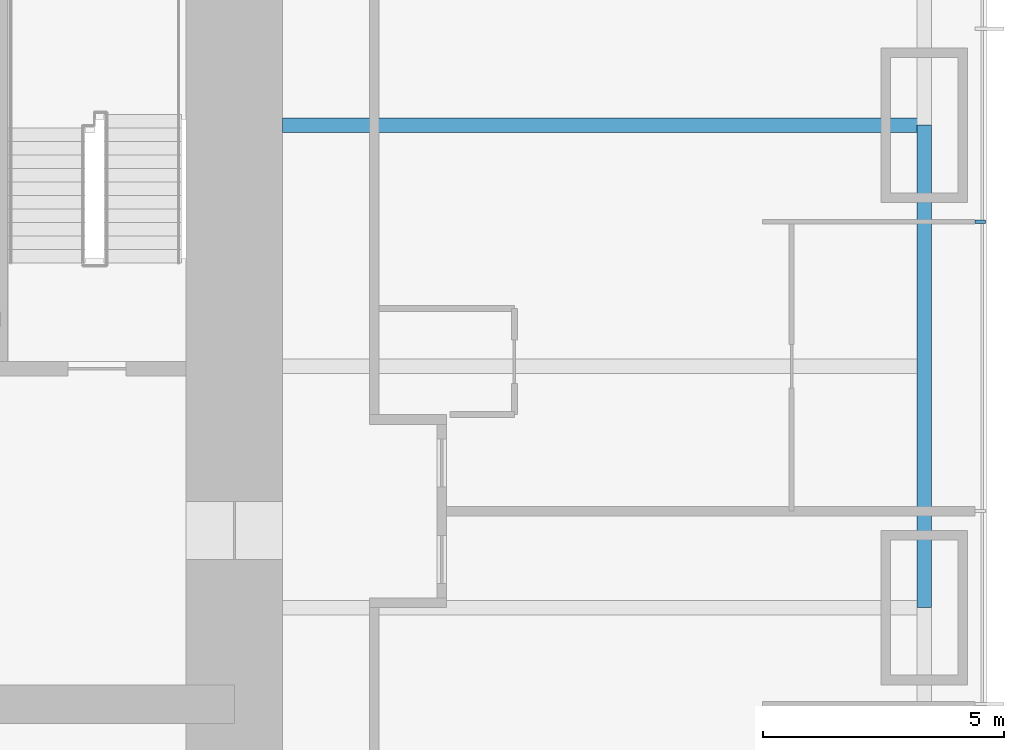
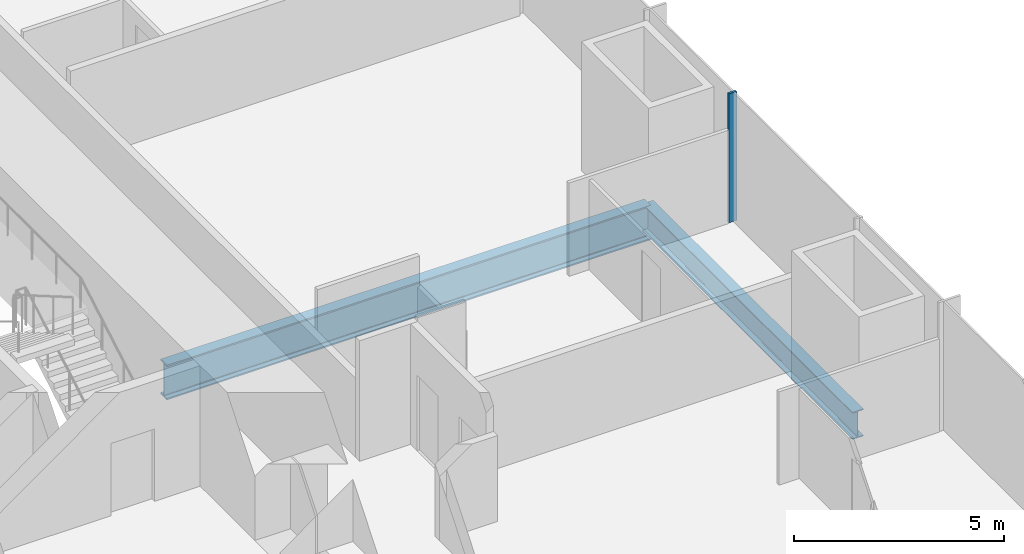
# One storey, part 5 of 17: 2 beams, 1 member, 1 element without a shape of its own.
"""IFC4 building model written with IfcOpenShell, lengths in metres."""

from ifc_helpers import new_model, si_unit, direction, frame, origin, origin_2d, place, context, subcontext, project, spatial, rectangle, i_section, extrude, material, material_profile, profile_set, type_object, element, aggregate, save


model = new_model("IFC4")

# Units and contexts
model_context = context("Model", 3, precision=1e-05, world=origin(), true_north=direction((0.0, 1.0)))
body_context = subcontext(model_context, "Body", "Model", "MODEL_VIEW")
ifc_project = project(units=[si_unit("LENGTHUNIT", "METRE"), si_unit("AREAUNIT", "SQUARE_METRE"), si_unit("VOLUMEUNIT", "CUBIC_METRE"), si_unit("PLANEANGLEUNIT", "RADIAN"), si_unit("MASSUNIT", "GRAM", prefix="KILO")], contexts=[model_context])

# Site, building, storey
site_placement = place(None, origin())
site = spatial("IfcSite", under=ifc_project, at=site_placement, CompositionType="ELEMENT")
building_placement = place(site_placement, origin())
building = spatial("IfcBuilding", under=site, at=building_placement, Name="Khuree Lantern Residences", CompositionType="ELEMENT")
storey_placement = place(building_placement, frame((0.0, 0.0, 84.75)))
storey = spatial("IfcBuildingStorey", under=building, at=storey_placement, Name="L21", CompositionType="ELEMENT", Elevation=84.75)

# Beams
ifc_material_1 = material(Name="Steel S355", Category="steel")
ifc_material_profile_1 = material_profile(ifc_material_1, i_section(OverallWidth=0.300048828125, OverallDepth=0.7900390625, WebThickness=0.014892578125, FlangeThickness=0.028076171875, FilletRadius=0.030029296875, at=origin_2d()), Name="HE 800 A")
ifc_profile_set_1 = profile_set([ifc_material_profile_1], Name="Steel S355")
beam_type_1 = type_object("IfcBeamType", Name="E-15 SPANDREL BEAM HE 800 A", PredefinedType="SPANDREL", material=ifc_profile_set_1)
beam_1_placement = place(storey_placement, frame((29.800048828125, 0.0, -0.64501953125), z_axis=(0.0, -1.0, 0.0), x_axis=(1.0, 0.0, 0.0)))
element("IfcBeam", 1, at=beam_1_placement, inside=storey, type_object=beam_type_1, Name="Spandrel beam E4", PredefinedType="SPANDREL", context=body_context, shape_type="SweptSolid", body=[
    extrude(i_section(OverallWidth=0.300048828125, OverallDepth=0.7900390625, WebThickness=0.014892578125, FlangeThickness=0.028076171875, FilletRadius=0.030029296875, at=origin_2d()), origin(), (0.0, 0.0, 1.0), 10.0),
])
ifc_material_profile_2 = material_profile(ifc_material_1, i_section(OverallWidth=0.302001953125, OverallDepth=1.008056640625, WebThickness=0.02099609375, FlangeThickness=0.0400390625, FilletRadius=0.030029296875, at=origin_2d()), Name="HE 1000 M")
ifc_profile_set_2 = profile_set([ifc_material_profile_2], Name="Steel S355")
beam_type_2 = type_object("IfcBeamType", Name="G-15 GIRDER HE 1000 M", PredefinedType="BEAM", material=ifc_profile_set_2)
beam_2_placement = place(storey_placement, frame((29.800048828125, 0.0, -0.75390625), z_axis=(-1.0, 0.0, 0.0), x_axis=(0.0, -1.0, 0.0)))
element("IfcBeam", 2, at=beam_2_placement, inside=storey, type_object=beam_type_2, Name="Girder E3", PredefinedType="BEAM", context=body_context, shape_type="SweptSolid", body=[
    extrude(i_section(OverallWidth=0.302001953125, OverallDepth=1.008056640625, WebThickness=0.02099609375, FlangeThickness=0.0400390625, FilletRadius=0.030029296875, at=origin_2d()), origin(), (0.0, 0.0, 1.0), 13.300048828125),
])

# Curtain wall, member
ifc_material_2 = material(Name="Bronze anodised aluminium", Category="aluminium")
curtain_wall_type = type_object("IfcCurtainWallType", Name="CW-T1 TOWER FACE CURTAIN WALL", PredefinedType="USERDEFINED", material=ifc_material_2)
curtain_wall_placement = place(storey_placement, origin())
curtain_wall = element("IfcCurtainWall", 3, at=curtain_wall_placement, inside=storey, type_object=curtain_wall_type, Name="L21 EAST FACE CURTAIN WALL", ObjectType="Stick-built curtain wall", PredefinedType="USERDEFINED")
ifc_material_profile_3 = material_profile(ifc_material_2, rectangle(XDim=0.06494140625, YDim=0.219970703125, at=origin_2d()), Name="M1 65X220")
ifc_profile_set_3 = profile_set([ifc_material_profile_3], Name="Bronze anodised aluminium")
member_type = type_object("IfcMemberType", Name="M1 BRONZE MULLION TOWER 65X220", PredefinedType="MULLION", material=ifc_profile_set_3)
member_placement = place(storey_placement, frame((30.9599609375, -2.0, 0.0), z_axis=(0.0, 0.0, 1.0), x_axis=(0.0, 1.0, 0.0)))
member = element("IfcMember", 4, at=member_placement, type_object=member_type, Name="L21 EAST FACE MULLION 9", PredefinedType="MULLION", context=body_context, shape_type="SweptSolid", body=[
    extrude(rectangle(XDim=0.06494140625, YDim=0.219970703125, at=origin_2d()), origin(), (0.0, 0.0, 1.0), 3.75),
])
aggregate(curtain_wall, [member])

save(model, "model.ifc")
